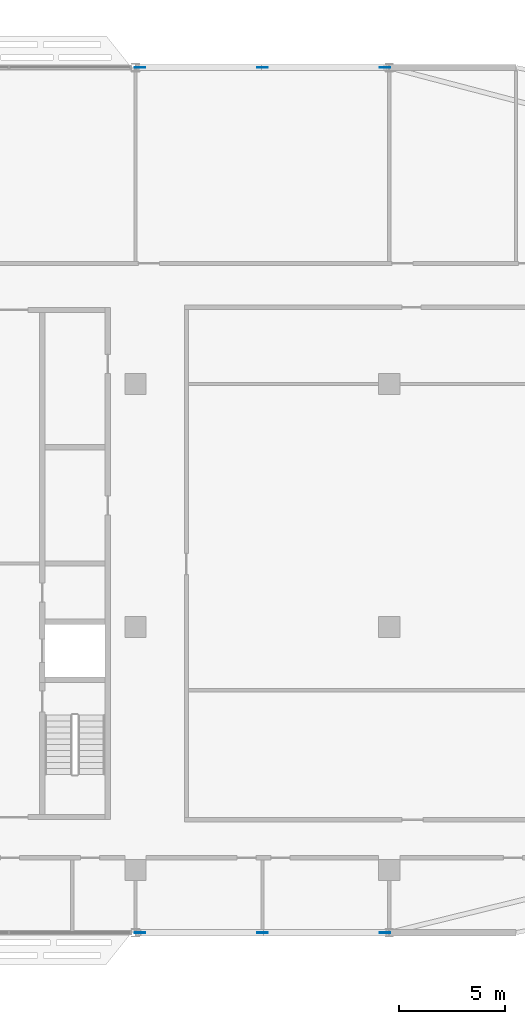
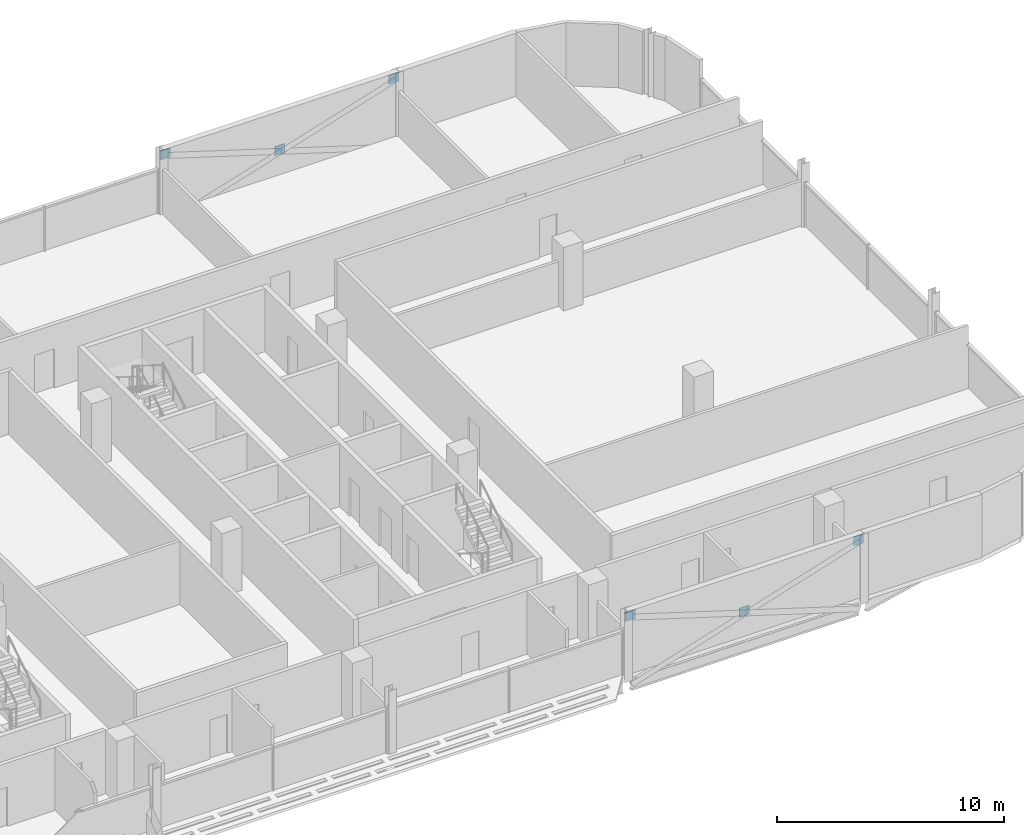
# One storey, part 26 of 33: 6 discrete accessories.
"""IFC4 building model written with IfcOpenShell, lengths in metres."""

from ifc_helpers import new_model, si_unit, direction, frame, origin, origin_2d, place, context, subcontext, project, spatial, rectangle, extrude, material, layer, layer_set, type_object, element, save


model = new_model("IFC4")

# Units and contexts
model_context = context("Model", 3, precision=1e-05, world=origin(), true_north=direction((0.0, 1.0)))
body_context = subcontext(model_context, "Body", "Model", "MODEL_VIEW")
ifc_project = project(units=[si_unit("LENGTHUNIT", "METRE"), si_unit("AREAUNIT", "SQUARE_METRE"), si_unit("VOLUMEUNIT", "CUBIC_METRE"), si_unit("PLANEANGLEUNIT", "RADIAN"), si_unit("MASSUNIT", "GRAM", prefix="KILO")], contexts=[model_context])

# Site, building, storey
site_placement = place(None, origin())
site = spatial("IfcSite", under=ifc_project, at=site_placement, CompositionType="ELEMENT")
building_placement = place(site_placement, origin())
building = spatial("IfcBuilding", under=site, at=building_placement, Name="Mahtab Terrace Research Tower", CompositionType="ELEMENT")
storey_placement = place(building_placement, frame((0.0, 0.0, 255.199951171875)))
storey = spatial("IfcBuildingStorey", under=building, at=storey_placement, Name="L62", CompositionType="ELEMENT", Elevation=255.199951171875)

# Discrete accessories
ifc_material = material(Name="Steel ASTM A992 Gr 50", Category="steel")
ifc_layer = layer(ifc_material, 0.030029296875)
ifc_layer_set = layer_set([ifc_layer], Name="Gusset plate 500x500x30")
discrete_accessory_type = type_object("IfcDiscreteAccessoryType", Name="Gusset plate 500x500x30", PredefinedType="USERDEFINED", material=ifc_layer_set)
for number, where, z_axis, x_axis, name in (
    (1, (30.199462890625, -14.472900390625, 2.784423828125), (0.0, 0.0, 1.0), (1.0, 0.0, 0.0), "Gusset plate"),
    (2, (30.199462890625, 26.472900390625, 2.784423828125), (0.0, 0.0, 1.0), (1.0, 0.0, 0.0), "Gusset plate"),
    (3, (36.0, -14.472900390625, 0.9765625), (0.0, 0.0, 1.0), (1.0, 0.0, 0.0), "Gusset plate"),
    (4, (36.0, 26.472900390625, 0.9765625), (0.0, 0.0, 1.0), (1.0, 0.0, 0.0), "Gusset plate"),
    (5, (41.800537109375, -14.472900390625, 2.784423828125), (0.0, 0.0, 1.0), (1.0, 0.0, 0.0), "Gusset plate"),
    (6, (41.800537109375, 26.472900390625, 2.784423828125), (0.0, 0.0, 1.0), (1.0, 0.0, 0.0), "Gusset plate"),
):
    element("IfcDiscreteAccessory", number, at=place(storey_placement, frame(where, z_axis=z_axis, x_axis=x_axis)), inside=storey, type_object=discrete_accessory_type, Name=name, ObjectType="GUSSET PLATE", PredefinedType="USERDEFINED", context=body_context, shape_type="SweptSolid", body=[
        extrude(rectangle(XDim=0.5, YDim=0.030029296875, at=origin_2d()), origin(), (0.0, 0.0, 1.0), 0.5),
    ])

save(model, "model.ifc")
